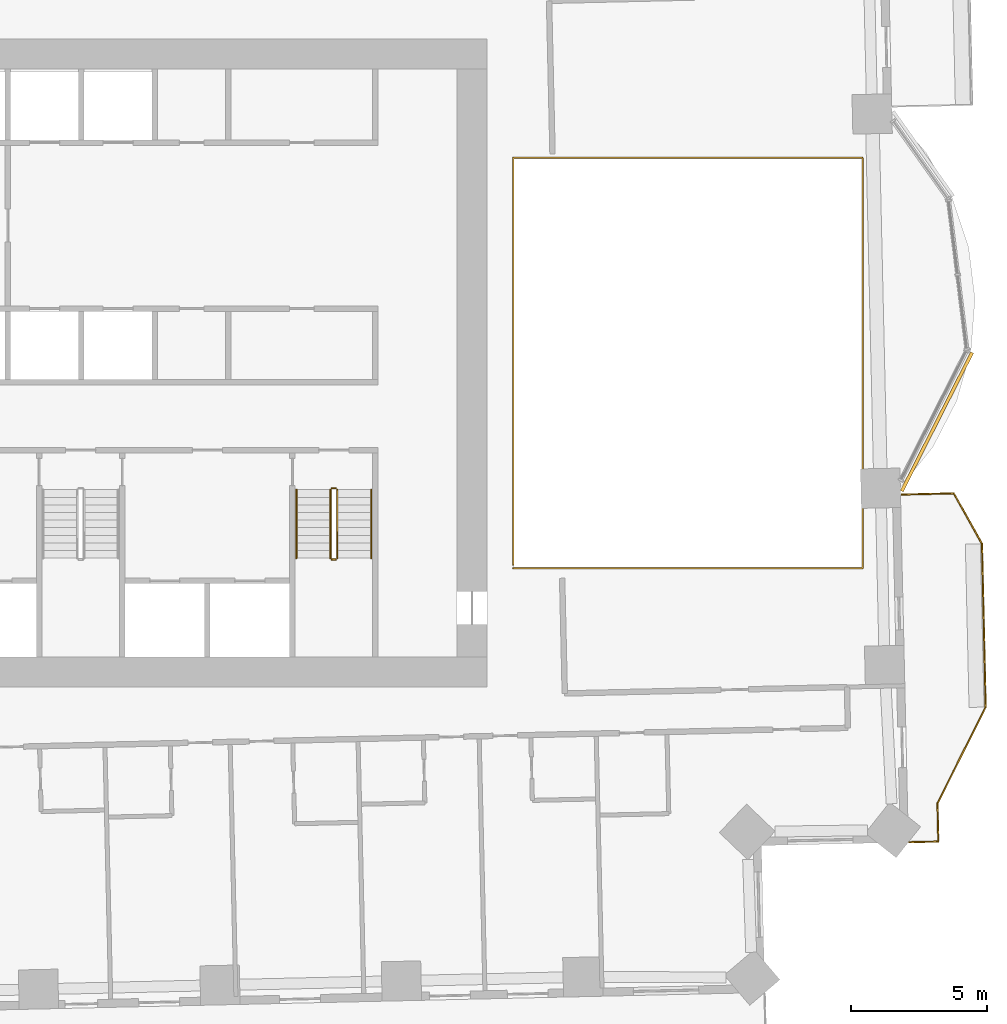
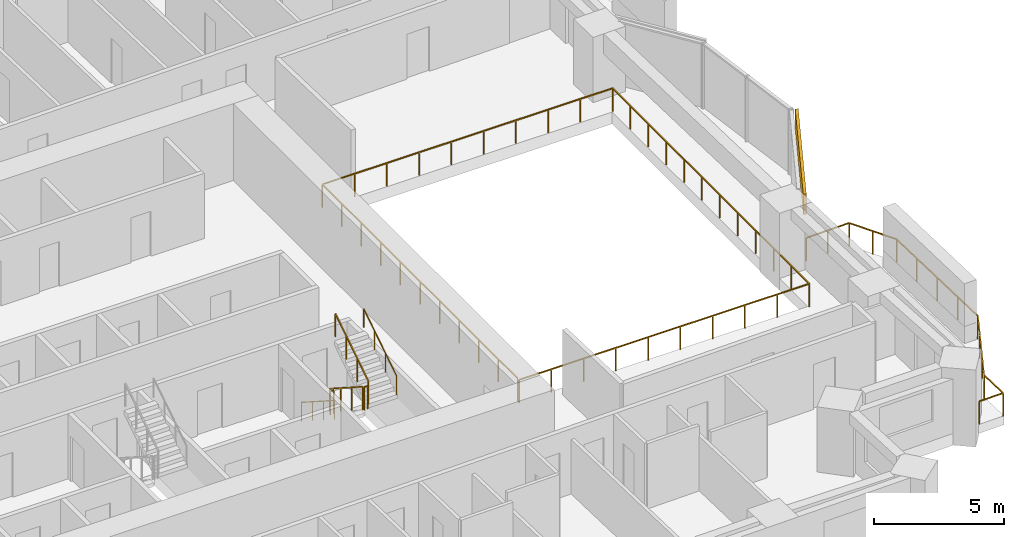
# One storey, part 16 of 17: 8 railings, 1 covering.
"""IFC4 building model written with IfcOpenShell, lengths in metres."""

from ifc_helpers import new_model, si_unit, direction, frame, frame_2d, origin, origin_2d, place, context, subcontext, project, spatial, rectangle, circle, extrude, material, layer, layer_set, type_object, element, save


model = new_model("IFC4")

# Units and contexts
model_context = context("Model", 3, precision=1e-05, world=origin(), true_north=direction((0.0, 1.0)))
body_context = subcontext(model_context, "Body", "Model", "MODEL_VIEW")
ifc_project = project(units=[si_unit("LENGTHUNIT", "METRE"), si_unit("AREAUNIT", "SQUARE_METRE"), si_unit("VOLUMEUNIT", "CUBIC_METRE"), si_unit("PLANEANGLEUNIT", "RADIAN"), si_unit("MASSUNIT", "GRAM", prefix="KILO")], contexts=[model_context])

# Site, building, storey
site_placement = place(None, origin())
site = spatial("IfcSite", under=ifc_project, at=site_placement, CompositionType="ELEMENT")
building_placement = place(site_placement, origin())
building = spatial("IfcBuilding", under=site, at=building_placement, Name="Mangrove Gate Tower", CompositionType="ELEMENT")
storey_placement = place(building_placement, frame((0.0, 0.0, 79.300048828125)))
storey = spatial("IfcBuildingStorey", under=building, at=storey_placement, Name="L19", CompositionType="ELEMENT", Elevation=79.300048828125)

# Railings
ifc_material_1 = material(Name="Stainless steel grade 316 with laminated glass infill", Category="steel")
railing_type_1 = type_object("IfcRailingType", Name="Balcony guard 1100", PredefinedType="GUARDRAIL", material=ifc_material_1)
railing_1_placement = place(storey_placement, frame((30.419921875, -17.60107421875, 0.0)))
element("IfcRailing", 1, at=railing_1_placement, inside=storey, type_object=railing_type_1, Name="GUARD L19 E1", PredefinedType="GUARDRAIL", context=body_context, shape_type="SweptSolid", body=[
    extrude(rectangle(XDim=0.048095703125, YDim=0.048095703125, at=origin_2d()), frame((0.0, 0.0, 1.076171875), z_axis=(0.999740168701, 0.022794628443, 0.0), x_axis=(-0.022794628443, 0.999740168701, 0.0)), (0.0, 0.0, 1.0), 1.060302734375),
    extrude(rectangle(XDim=0.048095703125, YDim=0.048095703125, at=origin_2d()), frame((1.06005859375, 0.024169921875, 1.076171875), z_axis=(-0.022856156732, 0.999738763928, 0.0), x_axis=(-0.999738763928, -0.022856156732, 0.0)), (0.0, 0.0, 1.0), 1.399169921875),
    extrude(rectangle(XDim=0.048095703125, YDim=0.048095703125, at=origin_2d()), frame((1.028076171875, 1.423095703125, 1.076171875), z_axis=(0.447016280881, 0.894525821107, 0.0), x_axis=(-0.894525821107, 0.447016280881, 0.0)), (0.0, 0.0, 1.0), 3.959716796875),
    extrude(rectangle(XDim=0.048095703125, YDim=0.048095703125, at=origin_2d()), frame((2.798095703125, 4.965087890625, 1.076171875), z_axis=(-0.022665943652, 0.999743094499, 0.0), x_axis=(-0.999743094499, -0.022665943652, 0.0)), (0.0, 0.0, 1.0), 5.99951171875),
    extrude(rectangle(XDim=0.048095703125, YDim=0.048095703125, at=origin_2d()), frame((2.662109375, 10.963134765625, 1.076171875), z_axis=(-0.487098711433, 0.873346921515, 0.0), x_axis=(-0.873346921515, -0.487098711433, 0.0)), (0.0, 0.0, 1.0), 2.12060546875),
    extrude(rectangle(XDim=0.048095703125, YDim=0.048095703125, at=origin_2d()), frame((1.629150390625, 12.815185546875, 1.076171875), z_axis=(-0.999735028648, -0.023018959443, 0.0), x_axis=(0.023018959443, -0.999735028648, 0.0)), (0.0, 0.0, 1.0), 1.919677734375),
    extrude(rectangle(XDim=0.0419921875, YDim=0.0419921875, at=origin_2d()), origin(), (0.0, 0.0, 1.0), 1.052001953125),
    extrude(rectangle(XDim=0.0419921875, YDim=0.0419921875, at=origin_2d()), frame((1.06005859375, 0.024169921875, 0.0)), (0.0, 0.0, 1.0), 1.052001953125),
    extrude(rectangle(XDim=0.0419921875, YDim=0.0419921875, at=origin_2d()), frame((1.028076171875, 1.423095703125, 0.0)), (0.0, 0.0, 1.0), 1.052001953125),
    extrude(rectangle(XDim=0.0419921875, YDim=0.0419921875, at=origin_2d()), frame((1.6181640625, 2.603759765625, 0.0)), (0.0, 0.0, 1.0), 1.052001953125),
    extrude(rectangle(XDim=0.0419921875, YDim=0.0419921875, at=origin_2d()), frame((2.2080078125, 3.784423828125, 0.0)), (0.0, 0.0, 1.0), 1.052001953125),
    extrude(rectangle(XDim=0.0419921875, YDim=0.0419921875, at=origin_2d()), frame((2.798095703125, 4.965087890625, 0.0)), (0.0, 0.0, 1.0), 1.052001953125),
    extrude(rectangle(XDim=0.0419921875, YDim=0.0419921875, at=origin_2d()), frame((2.76416015625, 6.464599609375, 0.0)), (0.0, 0.0, 1.0), 1.052001953125),
    extrude(rectangle(XDim=0.0419921875, YDim=0.0419921875, at=origin_2d()), frame((2.72998046875, 7.964111328125, 0.0)), (0.0, 0.0, 1.0), 1.052001953125),
    extrude(rectangle(XDim=0.0419921875, YDim=0.0419921875, at=origin_2d()), frame((2.696044921875, 9.463623046875, 0.0)), (0.0, 0.0, 1.0), 1.052001953125),
    extrude(rectangle(XDim=0.0419921875, YDim=0.0419921875, at=origin_2d()), frame((2.662109375, 10.963134765625, 0.0)), (0.0, 0.0, 1.0), 1.052001953125),
    extrude(rectangle(XDim=0.0419921875, YDim=0.0419921875, at=origin_2d()), frame((2.1455078125, 11.88916015625, 0.0)), (0.0, 0.0, 1.0), 1.052001953125),
    extrude(rectangle(XDim=0.0419921875, YDim=0.0419921875, at=origin_2d()), frame((1.629150390625, 12.815185546875, 0.0)), (0.0, 0.0, 1.0), 1.052001953125),
    extrude(rectangle(XDim=0.0419921875, YDim=0.0419921875, at=origin_2d()), frame((0.66943359375, 12.79296875, 0.0)), (0.0, 0.0, 1.0), 1.052001953125),
    extrude(rectangle(XDim=0.0419921875, YDim=0.0419921875, at=origin_2d()), frame((-0.2900390625, 12.77099609375, 0.0)), (0.0, 0.0, 1.0), 1.052001953125),
])
railing_2_placement = place(storey_placement, frame((15.860107421875, -7.5400390625, 0.0)))
element("IfcRailing", 2, at=railing_2_placement, inside=storey, type_object=railing_type_1, Name="GUARD L19 atrium", PredefinedType="GUARDRAIL", context=body_context, shape_type="SweptSolid", body=[
    extrude(rectangle(XDim=0.048095703125, YDim=0.048095703125, at=origin_2d()), frame((0.0, 0.0, 1.076171875), z_axis=(1.0, 0.0, 0.0), x_axis=(0.0, 1.0, 0.0)), (0.0, 0.0, 1.0), 12.8388671875),
    extrude(rectangle(XDim=0.048095703125, YDim=0.048095703125, at=origin_2d()), frame((12.8388671875, 0.0, 1.076171875), z_axis=(0.0, 1.0, 0.0), x_axis=(-1.0, 0.0, 0.0)), (0.0, 0.0, 1.0), 15.080078125),
    extrude(rectangle(XDim=0.048095703125, YDim=0.048095703125, at=origin_2d()), frame((12.8388671875, 15.080078125, 1.076171875), z_axis=(-1.0, 0.0, 0.0), x_axis=(0.0, -1.0, 0.0)), (0.0, 0.0, 1.0), 12.8388671875),
    extrude(rectangle(XDim=0.048095703125, YDim=0.048095703125, at=origin_2d()), frame((0.0, 15.080078125, 1.076171875), z_axis=(0.0, -1.0, 0.0), x_axis=(1.0, 0.0, 0.0)), (0.0, 0.0, 1.0), 14.9599609375),
    extrude(rectangle(XDim=0.0419921875, YDim=0.0419921875, at=origin_2d()), origin(), (0.0, 0.0, 1.0), 1.052001953125),
    extrude(rectangle(XDim=0.0419921875, YDim=0.0419921875, at=origin_2d()), frame((1.426513671875, 0.0, 0.0)), (0.0, 0.0, 1.0), 1.052001953125),
    extrude(rectangle(XDim=0.0419921875, YDim=0.0419921875, at=origin_2d()), frame((2.85302734375, 0.0, 0.0)), (0.0, 0.0, 1.0), 1.052001953125),
    extrude(rectangle(XDim=0.0419921875, YDim=0.0419921875, at=origin_2d()), frame((4.279541015625, 0.0, 0.0)), (0.0, 0.0, 1.0), 1.052001953125),
    extrude(rectangle(XDim=0.0419921875, YDim=0.0419921875, at=origin_2d()), frame((5.7060546875, 0.0, 0.0)), (0.0, 0.0, 1.0), 1.052001953125),
    extrude(rectangle(XDim=0.0419921875, YDim=0.0419921875, at=origin_2d()), frame((7.1328125, 0.0, 0.0)), (0.0, 0.0, 1.0), 1.052001953125),
    extrude(rectangle(XDim=0.0419921875, YDim=0.0419921875, at=origin_2d()), frame((8.559326171875, 0.0, 0.0)), (0.0, 0.0, 1.0), 1.052001953125),
    extrude(rectangle(XDim=0.0419921875, YDim=0.0419921875, at=origin_2d()), frame((9.98583984375, 0.0, 0.0)), (0.0, 0.0, 1.0), 1.052001953125),
    extrude(rectangle(XDim=0.0419921875, YDim=0.0419921875, at=origin_2d()), frame((11.412353515625, 0.0, 0.0)), (0.0, 0.0, 1.0), 1.052001953125),
    extrude(rectangle(XDim=0.0419921875, YDim=0.0419921875, at=origin_2d()), frame((12.8388671875, 0.0, 0.0)), (0.0, 0.0, 1.0), 1.052001953125),
    extrude(rectangle(XDim=0.0419921875, YDim=0.0419921875, at=origin_2d()), frame((12.8388671875, 1.370849609375, 0.0)), (0.0, 0.0, 1.0), 1.052001953125),
    extrude(rectangle(XDim=0.0419921875, YDim=0.0419921875, at=origin_2d()), frame((12.8388671875, 2.741943359375, 0.0)), (0.0, 0.0, 1.0), 1.052001953125),
    extrude(rectangle(XDim=0.0419921875, YDim=0.0419921875, at=origin_2d()), frame((12.8388671875, 4.11279296875, 0.0)), (0.0, 0.0, 1.0), 1.052001953125),
    extrude(rectangle(XDim=0.0419921875, YDim=0.0419921875, at=origin_2d()), frame((12.8388671875, 5.483642578125, 0.0)), (0.0, 0.0, 1.0), 1.052001953125),
    extrude(rectangle(XDim=0.0419921875, YDim=0.0419921875, at=origin_2d()), frame((12.8388671875, 6.8544921875, 0.0)), (0.0, 0.0, 1.0), 1.052001953125),
    extrude(rectangle(XDim=0.0419921875, YDim=0.0419921875, at=origin_2d()), frame((12.8388671875, 8.2255859375, 0.0)), (0.0, 0.0, 1.0), 1.052001953125),
    extrude(rectangle(XDim=0.0419921875, YDim=0.0419921875, at=origin_2d()), frame((12.8388671875, 9.596435546875, 0.0)), (0.0, 0.0, 1.0), 1.052001953125),
    extrude(rectangle(XDim=0.0419921875, YDim=0.0419921875, at=origin_2d()), frame((12.8388671875, 10.96728515625, 0.0)), (0.0, 0.0, 1.0), 1.052001953125),
    extrude(rectangle(XDim=0.0419921875, YDim=0.0419921875, at=origin_2d()), frame((12.8388671875, 12.338134765625, 0.0)), (0.0, 0.0, 1.0), 1.052001953125),
    extrude(rectangle(XDim=0.0419921875, YDim=0.0419921875, at=origin_2d()), frame((12.8388671875, 13.709228515625, 0.0)), (0.0, 0.0, 1.0), 1.052001953125),
    extrude(rectangle(XDim=0.0419921875, YDim=0.0419921875, at=origin_2d()), frame((12.8388671875, 15.080078125, 0.0)), (0.0, 0.0, 1.0), 1.052001953125),
    extrude(rectangle(XDim=0.0419921875, YDim=0.0419921875, at=origin_2d()), frame((11.412353515625, 15.080078125, 0.0)), (0.0, 0.0, 1.0), 1.052001953125),
    extrude(rectangle(XDim=0.0419921875, YDim=0.0419921875, at=origin_2d()), frame((9.98583984375, 15.080078125, 0.0)), (0.0, 0.0, 1.0), 1.052001953125),
    extrude(rectangle(XDim=0.0419921875, YDim=0.0419921875, at=origin_2d()), frame((8.559326171875, 15.080078125, 0.0)), (0.0, 0.0, 1.0), 1.052001953125),
    extrude(rectangle(XDim=0.0419921875, YDim=0.0419921875, at=origin_2d()), frame((7.1328125, 15.080078125, 0.0)), (0.0, 0.0, 1.0), 1.052001953125),
    extrude(rectangle(XDim=0.0419921875, YDim=0.0419921875, at=origin_2d()), frame((5.7060546875, 15.080078125, 0.0)), (0.0, 0.0, 1.0), 1.052001953125),
    extrude(rectangle(XDim=0.0419921875, YDim=0.0419921875, at=origin_2d()), frame((4.279541015625, 15.080078125, 0.0)), (0.0, 0.0, 1.0), 1.052001953125),
    extrude(rectangle(XDim=0.0419921875, YDim=0.0419921875, at=origin_2d()), frame((2.85302734375, 15.080078125, 0.0)), (0.0, 0.0, 1.0), 1.052001953125),
    extrude(rectangle(XDim=0.0419921875, YDim=0.0419921875, at=origin_2d()), frame((1.426513671875, 15.080078125, 0.0)), (0.0, 0.0, 1.0), 1.052001953125),
    extrude(rectangle(XDim=0.0419921875, YDim=0.0419921875, at=origin_2d()), frame((0.0, 15.080078125, 0.0)), (0.0, 0.0, 1.0), 1.052001953125),
    extrude(rectangle(XDim=0.0419921875, YDim=0.0419921875, at=origin_2d()), frame((0.0, 13.583984375, 0.0)), (0.0, 0.0, 1.0), 1.052001953125),
    extrude(rectangle(XDim=0.0419921875, YDim=0.0419921875, at=origin_2d()), frame((0.0, 12.088134765625, 0.0)), (0.0, 0.0, 1.0), 1.052001953125),
    extrude(rectangle(XDim=0.0419921875, YDim=0.0419921875, at=origin_2d()), frame((0.0, 10.592041015625, 0.0)), (0.0, 0.0, 1.0), 1.052001953125),
    extrude(rectangle(XDim=0.0419921875, YDim=0.0419921875, at=origin_2d()), frame((0.0, 9.09619140625, 0.0)), (0.0, 0.0, 1.0), 1.052001953125),
    extrude(rectangle(XDim=0.0419921875, YDim=0.0419921875, at=origin_2d()), frame((0.0, 7.60009765625, 0.0)), (0.0, 0.0, 1.0), 1.052001953125),
    extrude(rectangle(XDim=0.0419921875, YDim=0.0419921875, at=origin_2d()), frame((0.0, 6.10400390625, 0.0)), (0.0, 0.0, 1.0), 1.052001953125),
    extrude(rectangle(XDim=0.0419921875, YDim=0.0419921875, at=origin_2d()), frame((0.0, 4.608154296875, 0.0)), (0.0, 0.0, 1.0), 1.052001953125),
    extrude(rectangle(XDim=0.0419921875, YDim=0.0419921875, at=origin_2d()), frame((0.0, 3.112060546875, 0.0)), (0.0, 0.0, 1.0), 1.052001953125),
    extrude(rectangle(XDim=0.0419921875, YDim=0.0419921875, at=origin_2d()), frame((0.0, 1.6162109375, 0.0)), (0.0, 0.0, 1.0), 1.052001953125),
    extrude(rectangle(XDim=0.0419921875, YDim=0.0419921875, at=origin_2d()), frame((0.0, 0.1201171875, 0.0)), (0.0, 0.0, 1.0), 1.052001953125),
])
ifc_material_2 = material(Name="Stainless steel 316", Category="steel")
railing_type_2 = type_object("IfcRailingType", Name="Core stair guard 1100", PredefinedType="GUARDRAIL", material=ifc_material_2)
railing_3_placement = place(storey_placement, frame((9.14990234375, -4.64990234375, 0.179931640625)))
element("IfcRailing", 3, at=railing_3_placement, inside=storey, type_object=railing_type_2, Name="L19 ST3 stair guard 1", PredefinedType="GUARDRAIL", context=body_context, shape_type="SweptSolid", body=[
    extrude(rectangle(XDim=0.048095703125, YDim=0.048095703125, at=origin_2d()), frame((0.0, 0.0, 1.076171875), z_axis=(0.0, -0.841162588446, 0.540782303519), x_axis=(1.0, 0.0, 0.0)), (0.0, 0.0, 1.0), 2.995849609375),
    extrude(rectangle(XDim=0.0419921875, YDim=0.0419921875, at=origin_2d()), origin(), (0.0, 0.0, 1.0), 1.052001953125),
    extrude(rectangle(XDim=0.0419921875, YDim=0.0419921875, at=origin_2d()), frame((0.0, -0.840087890625, 0.5400390625)), (0.0, 0.0, 1.0), 1.052001953125),
    extrude(rectangle(XDim=0.0419921875, YDim=0.0419921875, at=origin_2d()), frame((0.0, -1.679931640625, 1.080078125)), (0.0, 0.0, 1.0), 1.052001953125),
    extrude(rectangle(XDim=0.0419921875, YDim=0.0419921875, at=origin_2d()), frame((0.0, -2.52001953125, 1.6201171875)), (0.0, 0.0, 1.0), 1.052001953125),
])
railing_4_placement = place(storey_placement, frame((9.199951171875, -7.219970703125, 1.800048828125)))
element("IfcRailing", 4, at=railing_4_placement, inside=storey, type_object=railing_type_2, Name="L19 ST3 stair guard 2", PredefinedType="GUARDRAIL", context=body_context, shape_type="SweptSolid", body=[
    extrude(rectangle(XDim=0.048095703125, YDim=0.048095703125, at=origin_2d()), frame((0.0, 0.0, 1.076171875), z_axis=(1.0, 0.0, 0.0), x_axis=(0.0, 1.0, 0.0)), (0.0, 0.0, 1.0), 0.150146484375),
    extrude(rectangle(XDim=0.0419921875, YDim=0.0419921875, at=origin_2d()), origin(), (0.0, 0.0, 1.0), 1.052001953125),
    extrude(rectangle(XDim=0.0419921875, YDim=0.0419921875, at=origin_2d()), frame((0.150146484375, 0.0, 0.0)), (0.0, 0.0, 1.0), 1.052001953125),
])
railing_5_placement = place(storey_placement, frame((9.39990234375, -7.169921875, 1.97998046875)))
element("IfcRailing", 5, at=railing_5_placement, inside=storey, type_object=railing_type_2, Name="L19 ST3 stair guard 3", PredefinedType="GUARDRAIL", context=body_context, shape_type="SweptSolid", body=[
    extrude(rectangle(XDim=0.048095703125, YDim=0.048095703125, at=origin_2d()), frame((0.0, 0.0, 1.076171875), z_axis=(0.0, 0.841199657755, 0.540724639528), x_axis=(-1.0, 0.0, 0.0)), (0.0, 0.0, 1.0), 2.995849609375),
    extrude(rectangle(XDim=0.0419921875, YDim=0.0419921875, at=origin_2d()), origin(), (0.0, 0.0, 1.0), 1.052001953125),
    extrude(rectangle(XDim=0.0419921875, YDim=0.0419921875, at=origin_2d()), frame((0.0, 0.840087890625, 0.5400390625)), (0.0, 0.0, 1.0), 1.052001953125),
    extrude(rectangle(XDim=0.0419921875, YDim=0.0419921875, at=origin_2d()), frame((0.0, 1.679931640625, 1.079833984375)), (0.0, 0.0, 1.0), 1.052001953125),
    extrude(rectangle(XDim=0.0419921875, YDim=0.0419921875, at=origin_2d()), frame((0.0, 2.52001953125, 1.619873046875)), (0.0, 0.0, 1.0), 1.052001953125),
])
railing_6_placement = place(storey_placement, frame((9.199951171875, -4.60009765625, 0.0)))
element("IfcRailing", 6, at=railing_6_placement, inside=storey, type_object=railing_type_2, Name="L19 ST3 stair guard 4", PredefinedType="GUARDRAIL", context=body_context, shape_type="SweptSolid", body=[
    extrude(rectangle(XDim=0.048095703125, YDim=0.048095703125, at=origin_2d()), frame((0.0, 0.0, 1.076171875), z_axis=(1.0, 0.0, 0.0), x_axis=(0.0, 1.0, 0.0)), (0.0, 0.0, 1.0), 0.150146484375),
    extrude(rectangle(XDim=0.0419921875, YDim=0.0419921875, at=origin_2d()), origin(), (0.0, 0.0, 1.0), 1.052001953125),
    extrude(rectangle(XDim=0.0419921875, YDim=0.0419921875, at=origin_2d()), frame((0.150146484375, 0.0, 0.0)), (0.0, 0.0, 1.0), 1.052001953125),
])
ifc_material_3 = material(Name="Stainless steel 316", Category="steel")
railing_type_3 = type_object("IfcRailingType", Name="Core stair handrail 900", PredefinedType="HANDRAIL", material=ifc_material_3)
railing_7_placement = place(storey_placement, frame((7.89990234375, -4.64990234375, 0.179931640625)))
element("IfcRailing", 7, at=railing_7_placement, inside=storey, type_object=railing_type_3, Name="L19 ST3 stair handrail 1", PredefinedType="HANDRAIL", context=body_context, shape_type="SweptSolid", body=[
    extrude(circle(Radius=0.02392578125, at=origin_2d()), frame((0.0, 0.0, 0.8759765625), z_axis=(0.0, -0.841162588446, 0.540782303519), x_axis=(1.0, 0.0, 0.0)), (0.0, 0.0, 1.0), 2.995849609375),
    extrude(circle(Radius=0.02099609375, at=origin_2d()), origin(), (0.0, 0.0, 1.0), 0.851806640625),
    extrude(circle(Radius=0.02099609375, at=origin_2d()), frame((0.0, -0.840087890625, 0.5400390625)), (0.0, 0.0, 1.0), 0.851806640625),
    extrude(circle(Radius=0.02099609375, at=origin_2d()), frame((0.0, -1.679931640625, 1.080078125)), (0.0, 0.0, 1.0), 0.851806640625),
    extrude(circle(Radius=0.02099609375, at=origin_2d()), frame((0.0, -2.52001953125, 1.6201171875)), (0.0, 0.0, 1.0), 0.851806640625),
])
railing_8_placement = place(storey_placement, frame((10.64990234375, -7.169921875, 1.97998046875)))
element("IfcRailing", 8, at=railing_8_placement, inside=storey, type_object=railing_type_3, Name="L19 ST3 stair handrail 2", PredefinedType="HANDRAIL", context=body_context, shape_type="SweptSolid", body=[
    extrude(circle(Radius=0.02392578125, at=origin_2d()), frame((0.0, 0.0, 0.8759765625), z_axis=(0.0, 0.841199657755, 0.540724639528), x_axis=(-1.0, 0.0, 0.0)), (0.0, 0.0, 1.0), 2.995849609375),
    extrude(circle(Radius=0.02099609375, at=origin_2d()), origin(), (0.0, 0.0, 1.0), 0.851806640625),
    extrude(circle(Radius=0.02099609375, at=origin_2d()), frame((0.0, 0.840087890625, 0.5400390625)), (0.0, 0.0, 1.0), 0.851806640625),
    extrude(circle(Radius=0.02099609375, at=origin_2d()), frame((0.0, 1.679931640625, 1.079833984375)), (0.0, 0.0, 1.0), 0.851806640625),
    extrude(circle(Radius=0.02099609375, at=origin_2d()), frame((0.0, 2.52001953125, 1.619873046875)), (0.0, 0.0, 1.0), 0.851806640625),
])

# Covering
ifc_material_4 = material(Name="Limestone", Category="masonry")
ifc_layer_1 = layer(ifc_material_4, 0.0400390625, Name="Limestone cladding")
ifc_material_5 = material(Name="Stainless steel anchors and cavity", Category="steel")
ifc_layer_2 = layer(ifc_material_5, 0.080078125, Name="Fixing cavity")
ifc_layer_set = layer_set([ifc_layer_1, ifc_layer_2], Name="Joint fascia cladding 120")
covering_type = type_object("IfcCoveringType", Name="Joint fascia cladding 120", PredefinedType="CLADDING", material=ifc_layer_set)
covering_placement = place(storey_placement, frame((30.13720703125, -4.705322265625, 2.099853515625), z_axis=(0.0, 0.0, 1.0), x_axis=(0.452477241859, 0.891775950337, 0.0)))
element("IfcCovering", 9, at=covering_placement, inside=storey, type_object=covering_type, Name="STONE FASCIA L19 E1.L1", PredefinedType="CLADDING", context=body_context, shape_type="SweptSolid", body=[
    extrude(rectangle(XDim=5.705810546875, YDim=0.1201171875, at=frame_2d((2.85302734375, 0.0))), origin(), (0.0, 0.0, 1.0), 0.9501953125),
])

save(model, "model.ifc")
